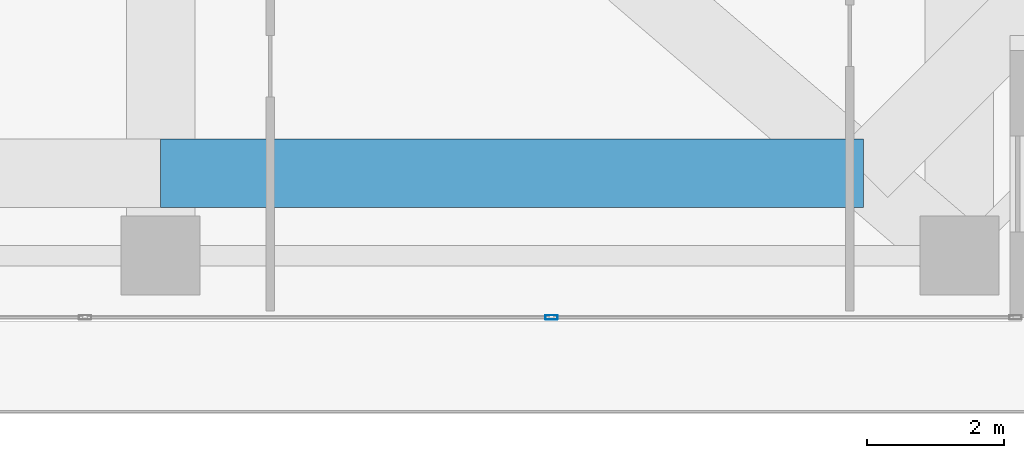
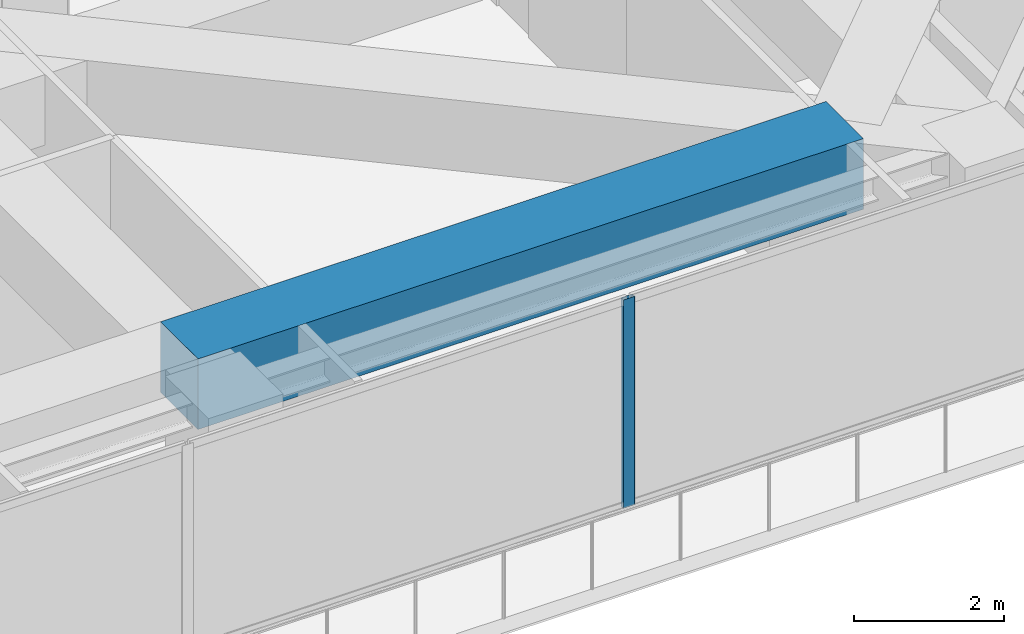
# One storey, part 13 of 39: 1 beam, 1 member, 1 element without a shape of its own.
"""IFC4 building model written with IfcOpenShell, lengths in metres."""

from ifc_helpers import new_model, si_unit, direction, frame, origin, origin_2d, place, context, subcontext, project, spatial, rectangle, hollow_rectangle, extrude, source, transform, mapped, material, layer, layer_set, material_profile, profile_set, type_object, element, aggregate, save


model = new_model("IFC4")

# Units and contexts
model_context = context("Model", 3, precision=1e-05, world=origin(), true_north=direction((0.0, 1.0)))
body_context = subcontext(model_context, "Body", "Model", "MODEL_VIEW")
ifc_project = project(units=[si_unit("LENGTHUNIT", "METRE"), si_unit("AREAUNIT", "SQUARE_METRE"), si_unit("VOLUMEUNIT", "CUBIC_METRE"), si_unit("PLANEANGLEUNIT", "RADIAN"), si_unit("MASSUNIT", "GRAM", prefix="KILO")], contexts=[model_context])

# Site, building, storey
site_placement = place(None, origin())
site = spatial("IfcSite", under=ifc_project, at=site_placement, CompositionType="ELEMENT")
building_placement = place(site_placement, origin())
building = spatial("IfcBuilding", under=site, at=building_placement, Name="Serunith Strait Residences", CompositionType="ELEMENT")
storey_placement = place(building_placement, frame((0.0, 0.0, 283.60009765625)))
storey = spatial("IfcBuildingStorey", under=building, at=storey_placement, Name="L71", CompositionType="ELEMENT", Elevation=283.60009765625)

# Beam
ifc_material_1 = material(Name="Concrete C80/95", Category="concrete")
ifc_material_profile_1 = material_profile(ifc_material_1, rectangle(XDim=1.0, YDim=1.14990234375, at=origin_2d()), Name="RC 1000x1150")
ifc_profile_set_1 = profile_set([ifc_material_profile_1], Name="Concrete C80/95")
beam_type = type_object("IfcBeamType", Name="BM-XFER-1000x1150", PredefinedType="BEAM", material=ifc_profile_set_1)
shared_shape_1 = source(origin(), body_context, "Body", "SweptSolid", [
    extrude(rectangle(XDim=1.0, YDim=1.14990234375, at=origin_2d()), origin(), (0.0, 0.0, 1.0), 10.25),
])
beam_placement = place(storey_placement, frame((36.89990234375, 3.300048828125, 2.8349609375), z_axis=(1.0, 0.0, 0.0), x_axis=(0.0, 1.0, 0.0)))
element("IfcBeam", 1, at=beam_placement, inside=storey, type_object=beam_type, Name="L71 Flare Upper Ring Transfer Girder 03", PredefinedType="BEAM", context=body_context, shape_type="MappedRepresentation", body=[
    mapped(shared_shape_1, transform((0.0, 0.0, 0.0), scale=1.0)),
])

# Curtain wall, member
ifc_material_2 = material(Name="Pale-Champagne Anodised Aluminium", Category="aluminium")
ifc_layer = layer(ifc_material_2, 0.199951171875, Name="Pale-Champagne Anodised Aluminium")
ifc_layer_set = layer_set([ifc_layer], Name="Pale-Champagne Anodised Aluminium")
curtain_wall_type = type_object("IfcCurtainWallType", Name="CW-SYS4", PredefinedType="NOTDEFINED", material=ifc_layer_set)
curtain_wall_placement = place(storey_placement, origin())
curtain_wall = element("IfcCurtainWall", 2, at=curtain_wall_placement, inside=storey, type_object=curtain_wall_type, Name="L71 S Unitised Fritted Curtain Wall", PredefinedType="NOTDEFINED")
ifc_material_profile_2 = material_profile(ifc_material_2, hollow_rectangle(XDim=0.06494140625, YDim=0.179931640625, WallThickness=0.00341796875, InnerFilletRadius=0.00537109375, OuterFilletRadius=0.0087890625, at=origin_2d()), Name="ALU 180x65x3.5")
ifc_profile_set_2 = profile_set([ifc_material_profile_2], Name="Pale-Champagne Anodised Aluminium")
member_type = type_object("IfcMemberType", Name="CW-SYS4-MULL", PredefinedType="MULLION", material=ifc_profile_set_2)
shared_shape_2 = source(origin(), body_context, "Body", "SweptSolid", [
    extrude(hollow_rectangle(XDim=0.06494140625, YDim=0.179931640625, WallThickness=0.00341796875, InnerFilletRadius=0.00537109375, OuterFilletRadius=0.0087890625, at=origin_2d()), origin(), (0.0, 0.0, 1.0), 3.39501953125),
])
member_placement = place(storey_placement, frame((42.60009765625, 1.199951171875, 0.0), z_axis=(0.0, 0.0, 1.0), x_axis=(0.0, 1.0, 0.0)))
member = element("IfcMember", 3, at=member_placement, type_object=member_type, Name="CW-4 mullion 5", PredefinedType="MULLION", context=body_context, shape_type="MappedRepresentation", body=[
    mapped(shared_shape_2, transform((0.0, 0.0, 0.0), scale=1.0)),
])
aggregate(curtain_wall, [member])

save(model, "model.ifc")
